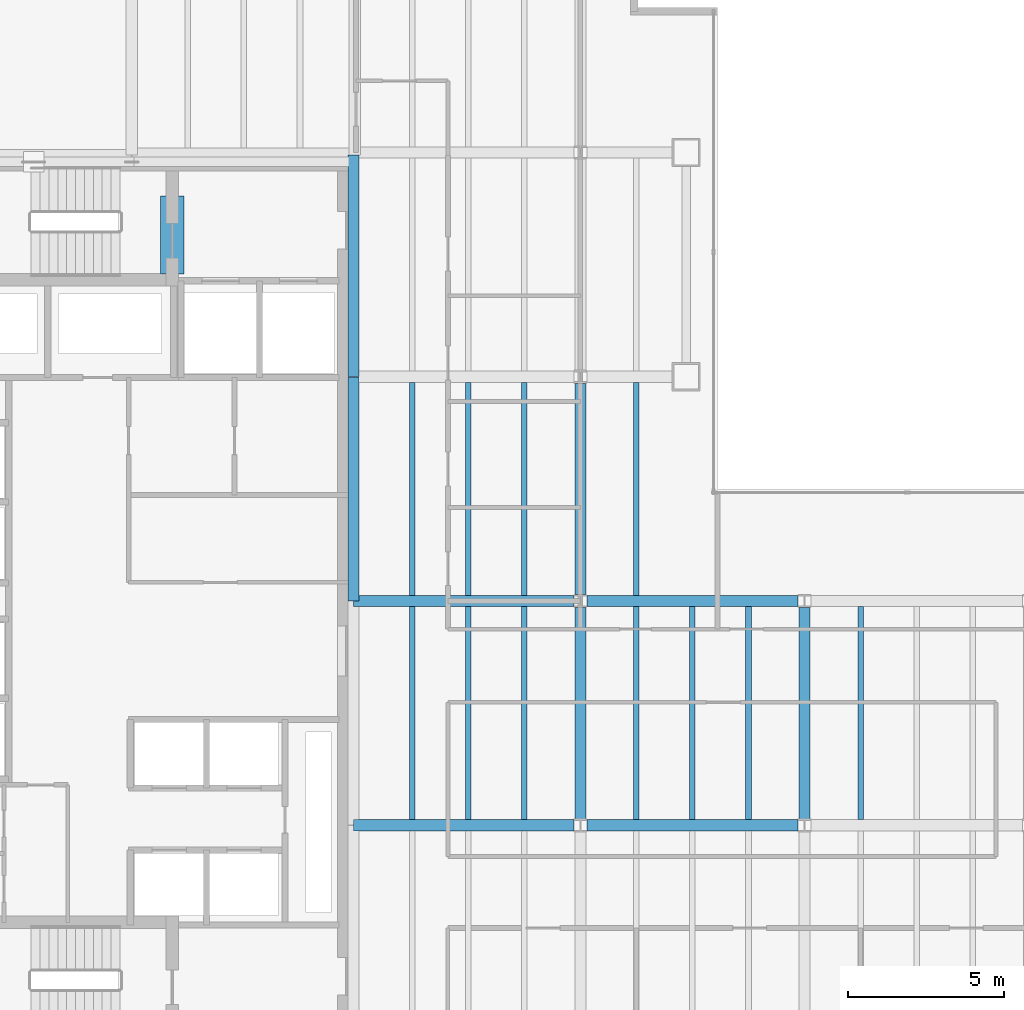
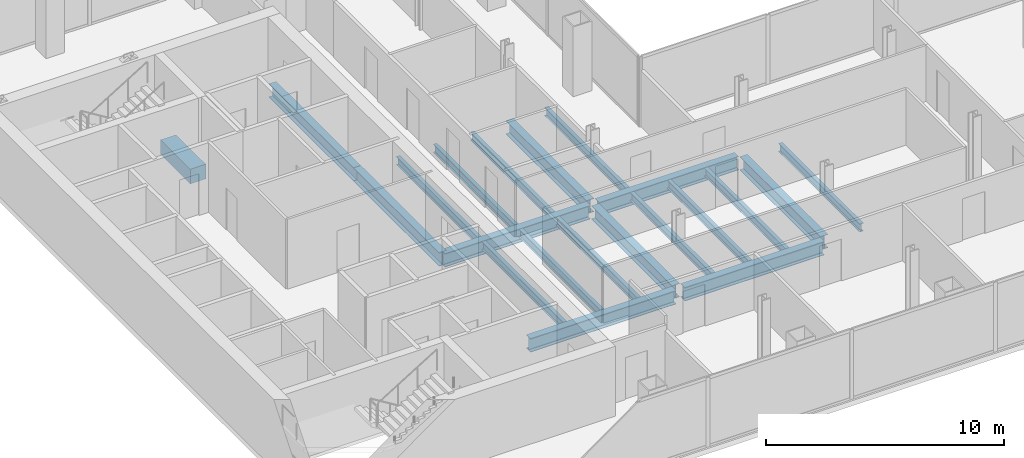
# One storey, part 6 of 23: 21 beams.
"""IFC4 building model written with IfcOpenShell, lengths in metres."""

from ifc_helpers import new_model, si_unit, direction, frame, origin, origin_2d, place, context, subcontext, project, spatial, rectangle, i_section, extrude, material, material_profile, profile_set, type_object, element, save


model = new_model("IFC4")

# Units and contexts
model_context = context("Model", 3, precision=1e-05, world=origin(), true_north=direction((0.0, 1.0)))
body_context = subcontext(model_context, "Body", "Model", "MODEL_VIEW")
ifc_project = project(units=[si_unit("LENGTHUNIT", "METRE"), si_unit("AREAUNIT", "SQUARE_METRE"), si_unit("VOLUMEUNIT", "CUBIC_METRE"), si_unit("PLANEANGLEUNIT", "RADIAN"), si_unit("MASSUNIT", "GRAM", prefix="KILO")], contexts=[model_context])

# Site, building, storey
site_placement = place(None, origin())
site = spatial("IfcSite", under=ifc_project, at=site_placement, CompositionType="ELEMENT")
building_placement = place(site_placement, origin())
building = spatial("IfcBuilding", under=site, at=building_placement, Name="Cobrela Telecom Tower", CompositionType="ELEMENT")
storey_placement = place(building_placement, frame((0.0, 0.0, 133.0)))
storey = spatial("IfcBuildingStorey", under=building, at=storey_placement, Name="L33", CompositionType="ELEMENT", Elevation=133.0)

# Beams
ifc_material_1 = material(Name="Concrete C40/50", Category="concrete")
ifc_material_profile_1 = material_profile(ifc_material_1, rectangle(XDim=0.75, YDim=0.75, at=origin_2d()), Name="RC 750x750")
ifc_profile_set_1 = profile_set([ifc_material_profile_1], Name="Concrete C40/50")
beam_type_1 = type_object("IfcBeamType", Name="BM-COUP-RC", PredefinedType="LINTEL", material=ifc_profile_set_1)
beam_1_placement = place(storey_placement, frame((8.5, 32.10009765625, -0.6201171875), z_axis=(0.0, 1.0, 0.0), x_axis=(-1.0, 0.0, 0.0)))
element("IfcBeam", 1, at=beam_1_placement, inside=storey, type_object=beam_type_1, Name="L33 Core Coupling Lintel Beam", PredefinedType="LINTEL", context=body_context, shape_type="SweptSolid", body=[
    extrude(rectangle(XDim=0.75, YDim=0.75, at=origin_2d()), origin(), (0.0, 0.0, 1.0), 2.5),
])
ifc_material_2 = material(Name="Steel ASTM A992 Grade 50", Category="steel")
ifc_material_profile_2 = material_profile(ifc_material_2, i_section(OverallWidth=0.35595703125, OverallDepth=0.696044921875, WebThickness=0.015380859375, FlangeThickness=0.024658203125, FilletRadius=0.01806640625, at=origin_2d()), Name="W27X146")
ifc_profile_set_2 = profile_set([ifc_material_profile_2], Name="Steel ASTM A992 Grade 50")
beam_type_2 = type_object("IfcBeamType", Name="BM-GIRD-05", PredefinedType="USERDEFINED", material=ifc_profile_set_2)
beam_2_placement = place(storey_placement, frame((14.324951171875, 14.39990234375, -0.617919921875), z_axis=(1.0, 0.0, 0.0), x_axis=(0.0, 1.0, 0.0)))
element("IfcBeam", 2, at=beam_2_placement, inside=storey, type_object=beam_type_2, Name="L33 Primary Girder X13", ObjectType="GIRDER", PredefinedType="USERDEFINED", context=body_context, shape_type="SweptSolid", body=[
    extrude(i_section(OverallWidth=0.35595703125, OverallDepth=0.696044921875, WebThickness=0.015380859375, FlangeThickness=0.024658203125, FilletRadius=0.01806640625, at=origin_2d()), origin(), (0.0, 0.0, 1.0), 7.0654296875),
])
beam_3_placement = place(storey_placement, frame((21.8095703125, 14.39990234375, -0.617919921875), z_axis=(1.0, 0.0, 0.0), x_axis=(0.0, 1.0, 0.0)))
element("IfcBeam", 3, at=beam_3_placement, inside=storey, type_object=beam_type_2, Name="L33 Primary Girder X14", ObjectType="GIRDER", PredefinedType="USERDEFINED", context=body_context, shape_type="SweptSolid", body=[
    extrude(i_section(OverallWidth=0.35595703125, OverallDepth=0.696044921875, WebThickness=0.015380859375, FlangeThickness=0.024658203125, FilletRadius=0.01806640625, at=origin_2d()), origin(), (0.0, 0.0, 1.0), 6.781005859375),
])
beam_4_placement = place(storey_placement, frame((14.324951171875, 21.60009765625, -0.617919921875), z_axis=(1.0, 0.0, 0.0), x_axis=(0.0, 1.0, 0.0)))
element("IfcBeam", 4, at=beam_4_placement, inside=storey, type_object=beam_type_2, Name="L33 Primary Girder X18", ObjectType="GIRDER", PredefinedType="USERDEFINED", context=body_context, shape_type="SweptSolid", body=[
    extrude(i_section(OverallWidth=0.35595703125, OverallDepth=0.696044921875, WebThickness=0.015380859375, FlangeThickness=0.024658203125, FilletRadius=0.01806640625, at=origin_2d()), origin(), (0.0, 0.0, 1.0), 7.0654296875),
])
beam_5_placement = place(storey_placement, frame((21.8095703125, 21.60009765625, -0.617919921875), z_axis=(1.0, 0.0, 0.0), x_axis=(0.0, 1.0, 0.0)))
element("IfcBeam", 5, at=beam_5_placement, inside=storey, type_object=beam_type_2, Name="L33 Primary Girder X19", ObjectType="GIRDER", PredefinedType="USERDEFINED", context=body_context, shape_type="SweptSolid", body=[
    extrude(i_section(OverallWidth=0.35595703125, OverallDepth=0.696044921875, WebThickness=0.015380859375, FlangeThickness=0.024658203125, FilletRadius=0.01806640625, at=origin_2d()), origin(), (0.0, 0.0, 1.0), 6.781005859375),
])
beam_6_placement = place(storey_placement, frame((14.320068359375, 21.60498046875, -0.617919921875), z_axis=(0.0, 1.0, 0.0), x_axis=(-1.0, 0.0, 0.0)))
element("IfcBeam", 6, at=beam_6_placement, inside=storey, type_object=beam_type_2, Name="L33 Primary Girder Y36", ObjectType="GIRDER", PredefinedType="USERDEFINED", context=body_context, shape_type="SweptSolid", body=[
    extrude(i_section(OverallWidth=0.35595703125, OverallDepth=0.696044921875, WebThickness=0.015380859375, FlangeThickness=0.024658203125, FilletRadius=0.01806640625, at=origin_2d()), origin(), (0.0, 0.0, 1.0), 7.18994140625),
])
beam_7_placement = place(storey_placement, frame((14.320068359375, 28.804931640625, -0.617919921875), z_axis=(0.0, 1.0, 0.0), x_axis=(-1.0, 0.0, 0.0)))
element("IfcBeam", 7, at=beam_7_placement, inside=storey, type_object=beam_type_2, Name="L33 Primary Girder Y37", ObjectType="GIRDER", PredefinedType="USERDEFINED", context=body_context, shape_type="SweptSolid", body=[
    extrude(i_section(OverallWidth=0.35595703125, OverallDepth=0.696044921875, WebThickness=0.015380859375, FlangeThickness=0.024658203125, FilletRadius=0.01806640625, at=origin_2d()), origin(), (0.0, 0.0, 1.0), 7.110107421875),
])
beam_8_placement = place(storey_placement, frame((21.60009765625, 14.609619140625, -0.617919921875), z_axis=(0.0, 1.0, 0.0), x_axis=(-1.0, 0.0, 0.0)))
element("IfcBeam", 8, at=beam_8_placement, inside=storey, type_object=beam_type_2, Name="L33 Primary Girder Y41", ObjectType="GIRDER", PredefinedType="USERDEFINED", context=body_context, shape_type="SweptSolid", body=[
    extrude(i_section(OverallWidth=0.35595703125, OverallDepth=0.696044921875, WebThickness=0.015380859375, FlangeThickness=0.024658203125, FilletRadius=0.01806640625, at=origin_2d()), origin(), (0.0, 0.0, 1.0), 6.78076171875),
])
beam_9_placement = place(storey_placement, frame((21.60009765625, 21.8095703125, -0.617919921875), z_axis=(0.0, 1.0, 0.0), x_axis=(-1.0, 0.0, 0.0)))
element("IfcBeam", 9, at=beam_9_placement, inside=storey, type_object=beam_type_2, Name="L33 Primary Girder Y42", ObjectType="GIRDER", PredefinedType="USERDEFINED", context=body_context, shape_type="SweptSolid", body=[
    extrude(i_section(OverallWidth=0.35595703125, OverallDepth=0.696044921875, WebThickness=0.015380859375, FlangeThickness=0.024658203125, FilletRadius=0.01806640625, at=origin_2d()), origin(), (0.0, 0.0, 1.0), 6.781005859375),
])
beam_10_placement = place(storey_placement, frame((28.800048828125, 14.609619140625, -0.617919921875), z_axis=(0.0, 1.0, 0.0), x_axis=(-1.0, 0.0, 0.0)))
element("IfcBeam", 10, at=beam_10_placement, inside=storey, type_object=beam_type_2, Name="L33 Primary Girder Y48", ObjectType="GIRDER", PredefinedType="USERDEFINED", context=body_context, shape_type="SweptSolid", body=[
    extrude(i_section(OverallWidth=0.35595703125, OverallDepth=0.696044921875, WebThickness=0.015380859375, FlangeThickness=0.024658203125, FilletRadius=0.01806640625, at=origin_2d()), origin(), (0.0, 0.0, 1.0), 6.78076171875),
])
ifc_material_profile_3 = material_profile(ifc_material_2, i_section(OverallWidth=0.179931640625, OverallDepth=0.4169921875, WebThickness=0.010986328125, FlangeThickness=0.01806640625, FilletRadius=0.011962890625, at=origin_2d()), Name="W16X57")
ifc_profile_set_3 = profile_set([ifc_material_profile_3], Name="Steel ASTM A992 Grade 50")
beam_type_3 = type_object("IfcBeamType", Name="BM-JOIST-04", PredefinedType="JOIST", material=ifc_profile_set_3)
for number, where, z_axis, x_axis, name in (
    (11, (16.199951171875, 14.5830078125, -0.478515625), (0.0, 1.0, 0.0), (-1.0, 0.0, 0.0), "L33 Secondary Composite Floor Beam J05"),
    (12, (16.199951171875, 21.782958984375, -0.478515625), (0.0, 1.0, 0.0), (-1.0, 0.0, 0.0), "L33 Secondary Composite Floor Beam J06"),
    (13, (18.0, 14.5830078125, -0.478515625), (0.0, 1.0, 0.0), (-1.0, 0.0, 0.0), "L33 Secondary Composite Floor Beam J10"),
    (14, (18.0, 21.782958984375, -0.478515625), (0.0, 1.0, 0.0), (-1.0, 0.0, 0.0), "L33 Secondary Composite Floor Beam J11"),
    (15, (19.800048828125, 14.5830078125, -0.478515625), (0.0, 1.0, 0.0), (-1.0, 0.0, 0.0), "L33 Secondary Composite Floor Beam J15"),
    (16, (19.800048828125, 21.782958984375, -0.478515625), (0.0, 1.0, 0.0), (-1.0, 0.0, 0.0), "L33 Secondary Composite Floor Beam J16"),
    (17, (23.39990234375, 14.5830078125, -0.478515625), (0.0, 1.0, 0.0), (-1.0, 0.0, 0.0), "L33 Secondary Composite Floor Beam J20"),
    (18, (23.39990234375, 21.782958984375, -0.478515625), (0.0, 1.0, 0.0), (-1.0, 0.0, 0.0), "L33 Secondary Composite Floor Beam J21"),
    (19, (25.199951171875, 14.5830078125, -0.478515625), (0.0, 1.0, 0.0), (-1.0, 0.0, 0.0), "L33 Secondary Composite Floor Beam J24"),
    (20, (27.0, 14.5830078125, -0.478515625), (0.0, 1.0, 0.0), (-1.0, 0.0, 0.0), "L33 Secondary Composite Floor Beam J26"),
    (21, (30.60009765625, 14.5830078125, -0.478515625), (0.0, 1.0, 0.0), (-1.0, 0.0, 0.0), "L33 Secondary Composite Floor Beam J28"),
):
    element("IfcBeam", number, at=place(storey_placement, frame(where, z_axis=z_axis, x_axis=x_axis)), inside=storey, type_object=beam_type_3, Name=name, PredefinedType="JOIST", context=body_context, shape_type="SweptSolid", body=[
        extrude(i_section(OverallWidth=0.179931640625, OverallDepth=0.4169921875, WebThickness=0.010986328125, FlangeThickness=0.01806640625, FilletRadius=0.011962890625, at=origin_2d()), origin(), (0.0, 0.0, 1.0), 6.833984375),
    ])

save(model, "model.ifc")
